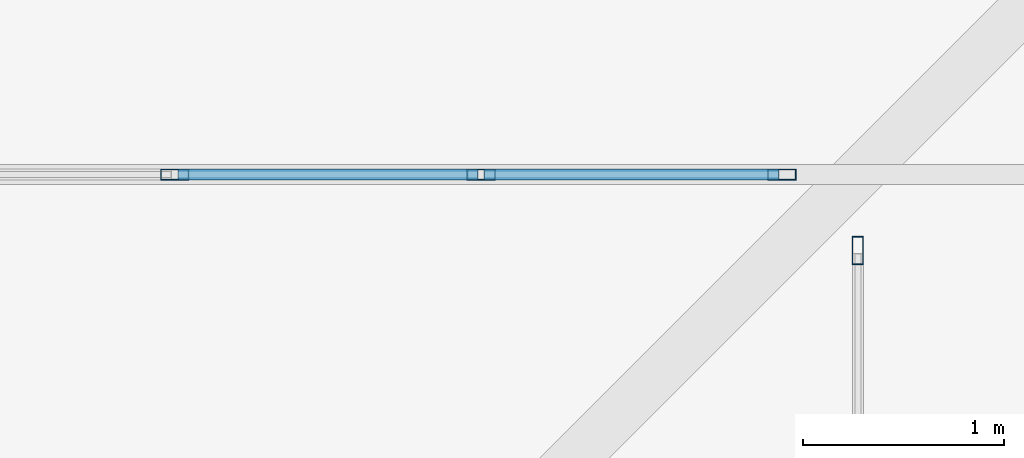
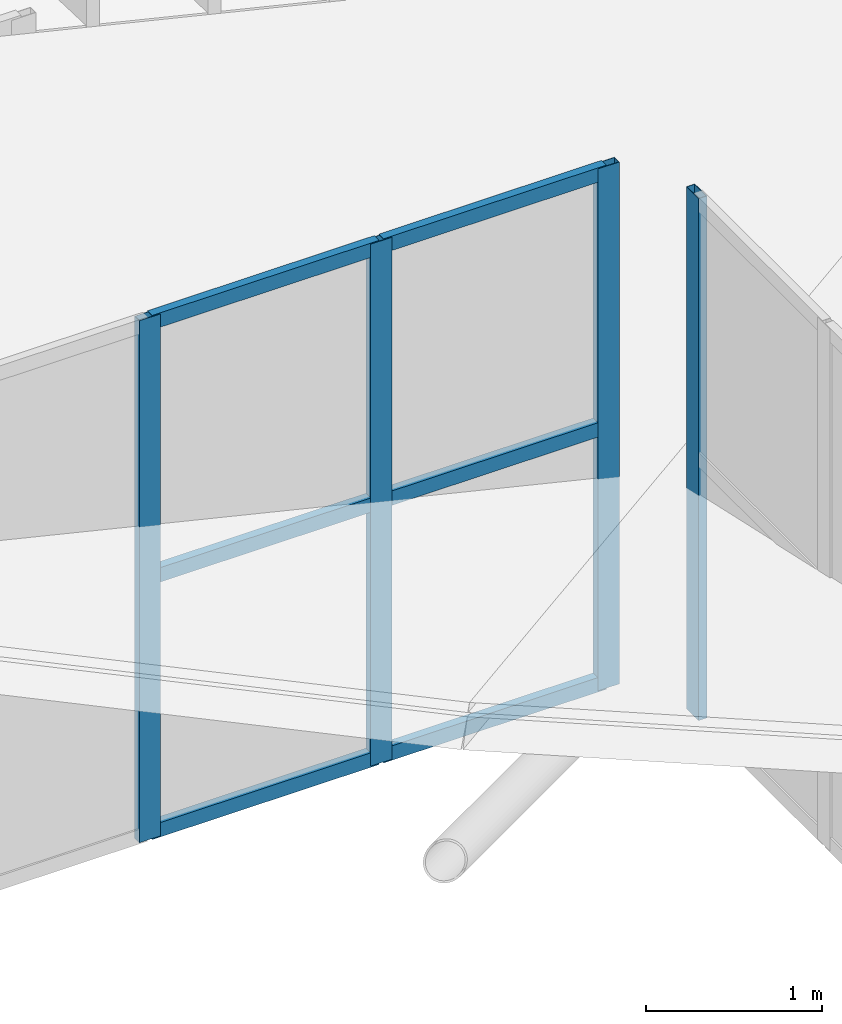
# One storey, part 342 of 397: 10 members, 2 elements without a shape of their own.
"""IFC4 building model written with IfcOpenShell, lengths in metres."""

from ifc_helpers import new_model, si_unit, direction, frame, origin, origin_2d, place, context, subcontext, project, spatial, hollow_rectangle, extrude, material, material_profile, profile_set, type_object, element, aggregate, save


model = new_model("IFC4")

# Units and contexts
model_context = context("Model", 3, precision=1e-05, world=origin(), true_north=direction((0.0, 1.0)))
body_context = subcontext(model_context, "Body", "Model", "MODEL_VIEW")
ifc_project = project(units=[si_unit("LENGTHUNIT", "METRE"), si_unit("AREAUNIT", "SQUARE_METRE"), si_unit("VOLUMEUNIT", "CUBIC_METRE"), si_unit("PLANEANGLEUNIT", "RADIAN"), si_unit("MASSUNIT", "GRAM", prefix="KILO")], contexts=[model_context])

# Site, building, storey
site_placement = place(None, origin())
site = spatial("IfcSite", under=ifc_project, at=site_placement, CompositionType="ELEMENT")
building_placement = place(site_placement, origin())
building = spatial("IfcBuilding", under=site, at=building_placement, Name="Qandorah Velis Arena", CompositionType="ELEMENT")
storey_placement = place(building_placement, frame((0.0, 0.0, 27.5)))
storey = spatial("IfcBuildingStorey", under=building, at=storey_placement, Name="RF", CompositionType="ELEMENT", Elevation=27.5)

# Curtain wall, member
ifc_material_1 = material(Name="Solar-control low-E double glazing", Category="glass")
curtain_wall_type_1 = type_object("IfcCurtainWallType", Name="ARC-CW-SYS18", PredefinedType="USERDEFINED", material=ifc_material_1)
curtain_wall_1_placement = place(storey_placement, origin())
curtain_wall_1 = element("IfcCurtainWall", 1, at=curtain_wall_1_placement, inside=storey, type_object=curtain_wall_type_1, Name="Unitised curtain wall MON-2-6", ObjectType="UNITISED CURTAIN WALL", PredefinedType="USERDEFINED")
ifc_material_2 = material(Name="Champagne-bronze anodized aluminium 6063-T6", Category="aluminium")
ifc_material_profile_1 = material_profile(ifc_material_2, hollow_rectangle(XDim=0.054931640625, YDim=0.139892578125, WallThickness=0.0029296875, at=origin_2d()), Name="ALU MULLION 55x140")
ifc_profile_set_1 = profile_set([ifc_material_profile_1], Name="Champagne-bronze anodized aluminium 6063-T6")
member_type_1 = type_object("IfcMemberType", Name="ARC-CWM-140", PredefinedType="MULLION", material=ifc_profile_set_1)
member_1_placement = place(storey_placement, frame((108.0, 107.62255859375, 3.5263671875), z_axis=(0.0, 0.0, 1.0), x_axis=(-1.0, 0.0, 0.0)))
member_1 = element("IfcMember", 2, at=member_1_placement, type_object=member_type_1, Name="CW18 mullion 10", PredefinedType="MULLION", context=body_context, shape_type="SweptSolid", body=[
    extrude(hollow_rectangle(XDim=0.054931640625, YDim=0.139892578125, WallThickness=0.0029296875, at=origin_2d()), origin(), (0.0, 0.0, 1.0), 3.630126953125),
])
aggregate(curtain_wall_1, [member_1])

# Curtain wall, members
curtain_wall_type_2 = type_object("IfcCurtainWallType", Name="ARC-CW-SYS06", PredefinedType="USERDEFINED", material=ifc_material_1)
curtain_wall_2_placement = place(storey_placement, origin())
curtain_wall_2 = element("IfcCurtainWall", 3, at=curtain_wall_2_placement, inside=storey, type_object=curtain_wall_type_2, Name="Unitised curtain wall MON-4-6", ObjectType="UNITISED CURTAIN WALL", PredefinedType="USERDEFINED")
member_2_placement = place(storey_placement, frame((104.60546875, 108.0, 3.625732421875), z_axis=(0.0, 0.0, 1.0), x_axis=(0.0, 1.0, 0.0)))
member_2 = element("IfcMember", 4, at=member_2_placement, type_object=member_type_1, Name="CW06 mullion 8", PredefinedType="MULLION", context=body_context, shape_type="SweptSolid", body=[
    extrude(hollow_rectangle(XDim=0.054931640625, YDim=0.139892578125, WallThickness=0.0029296875, at=origin_2d()), origin(), (0.0, 0.0, 1.0), 3.630126953125),
])
member_3_placement = place(storey_placement, frame((106.127685546875, 108.0, 3.625732421875), z_axis=(0.0, 0.0, 1.0), x_axis=(0.0, 1.0, 0.0)))
member_3 = element("IfcMember", 5, at=member_3_placement, type_object=member_type_1, Name="CW06 mullion 9", PredefinedType="MULLION", context=body_context, shape_type="SweptSolid", body=[
    extrude(hollow_rectangle(XDim=0.054931640625, YDim=0.139892578125, WallThickness=0.0029296875, at=origin_2d()), origin(), (0.0, 0.0, 1.0), 3.630126953125),
])
member_4_placement = place(storey_placement, frame((107.62255859375, 108.0, 3.625732421875), z_axis=(0.0, 0.0, 1.0), x_axis=(0.0, 1.0, 0.0)))
member_4 = element("IfcMember", 6, at=member_4_placement, type_object=member_type_1, Name="CW06 mullion 10", PredefinedType="MULLION", context=body_context, shape_type="SweptSolid", body=[
    extrude(hollow_rectangle(XDim=0.054931640625, YDim=0.139892578125, WallThickness=0.0029296875, at=origin_2d()), origin(), (0.0, 0.0, 1.0), 3.630126953125),
])
ifc_material_profile_2 = material_profile(ifc_material_2, hollow_rectangle(XDim=0.054931640625, YDim=0.10009765625, WallThickness=0.0029296875, at=origin_2d()), Name="ALU TRANSOM 55x100")
ifc_profile_set_2 = profile_set([ifc_material_profile_2], Name="Champagne-bronze anodized aluminium 6063-T6")
member_type_2 = type_object("IfcMemberType", Name="ARC-CWT-100", PredefinedType="USERDEFINED", material=ifc_profile_set_2)
member_5_placement = place(storey_placement, frame((104.62109375, 108.0, 3.668212890625), z_axis=(1.0, 0.0, 0.0), x_axis=(0.0, 1.0, 0.0)))
member_5 = element("IfcMember", 7, at=member_5_placement, type_object=member_type_2, Name="CW06 transom 8.1", ObjectType="TRANSOM", PredefinedType="USERDEFINED", context=body_context, shape_type="SweptSolid", body=[
    extrude(hollow_rectangle(XDim=0.054931640625, YDim=0.10009765625, WallThickness=0.0029296875, at=origin_2d()), origin(), (0.0, 0.0, 1.0), 1.4912109375),
])
member_6_placement = place(storey_placement, frame((104.62109375, 108.0, 5.44091796875), z_axis=(1.0, 0.0, 0.0), x_axis=(0.0, 1.0, 0.0)))
member_6 = element("IfcMember", 8, at=member_6_placement, type_object=member_type_2, Name="CW06 transom 8.2", ObjectType="TRANSOM", PredefinedType="USERDEFINED", context=body_context, shape_type="SweptSolid", body=[
    extrude(hollow_rectangle(XDim=0.054931640625, YDim=0.10009765625, WallThickness=0.0029296875, at=origin_2d()), origin(), (0.0, 0.0, 1.0), 1.4912109375),
])
member_7_placement = place(storey_placement, frame((104.62109375, 108.0, 7.21337890625), z_axis=(1.0, 0.0, 0.0), x_axis=(0.0, 1.0, 0.0)))
member_7 = element("IfcMember", 9, at=member_7_placement, type_object=member_type_2, Name="CW06 transom 8.3", ObjectType="TRANSOM", PredefinedType="USERDEFINED", context=body_context, shape_type="SweptSolid", body=[
    extrude(hollow_rectangle(XDim=0.054931640625, YDim=0.10009765625, WallThickness=0.0029296875, at=origin_2d()), origin(), (0.0, 0.0, 1.0), 1.4912109375),
])
member_8_placement = place(storey_placement, frame((106.143310546875, 108.0, 3.668212890625), z_axis=(1.0, 0.0, 0.0), x_axis=(0.0, 1.0, 0.0)))
member_8 = element("IfcMember", 10, at=member_8_placement, type_object=member_type_2, Name="CW06 transom 9.1", ObjectType="TRANSOM", PredefinedType="USERDEFINED", context=body_context, shape_type="SweptSolid", body=[
    extrude(hollow_rectangle(XDim=0.054931640625, YDim=0.10009765625, WallThickness=0.0029296875, at=origin_2d()), origin(), (0.0, 0.0, 1.0), 1.463623046875),
])
member_9_placement = place(storey_placement, frame((106.143310546875, 108.0, 5.44091796875), z_axis=(1.0, 0.0, 0.0), x_axis=(0.0, 1.0, 0.0)))
member_9 = element("IfcMember", 11, at=member_9_placement, type_object=member_type_2, Name="CW06 transom 9.2", ObjectType="TRANSOM", PredefinedType="USERDEFINED", context=body_context, shape_type="SweptSolid", body=[
    extrude(hollow_rectangle(XDim=0.054931640625, YDim=0.10009765625, WallThickness=0.0029296875, at=origin_2d()), origin(), (0.0, 0.0, 1.0), 1.463623046875),
])
member_10_placement = place(storey_placement, frame((106.143310546875, 108.0, 7.21337890625), z_axis=(1.0, 0.0, 0.0), x_axis=(0.0, 1.0, 0.0)))
member_10 = element("IfcMember", 12, at=member_10_placement, type_object=member_type_2, Name="CW06 transom 9.3", ObjectType="TRANSOM", PredefinedType="USERDEFINED", context=body_context, shape_type="SweptSolid", body=[
    extrude(hollow_rectangle(XDim=0.054931640625, YDim=0.10009765625, WallThickness=0.0029296875, at=origin_2d()), origin(), (0.0, 0.0, 1.0), 1.463623046875),
])
aggregate(curtain_wall_2, [member_2, member_3, member_4, member_5, member_6, member_7, member_8, member_9, member_10])

save(model, "model.ifc")
